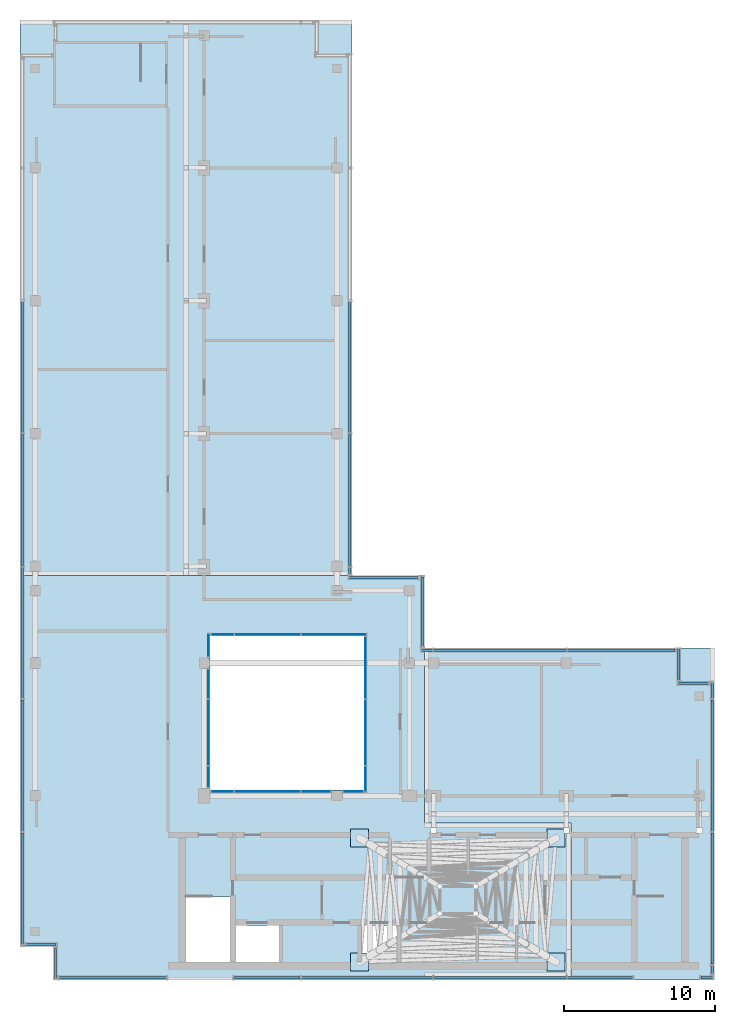
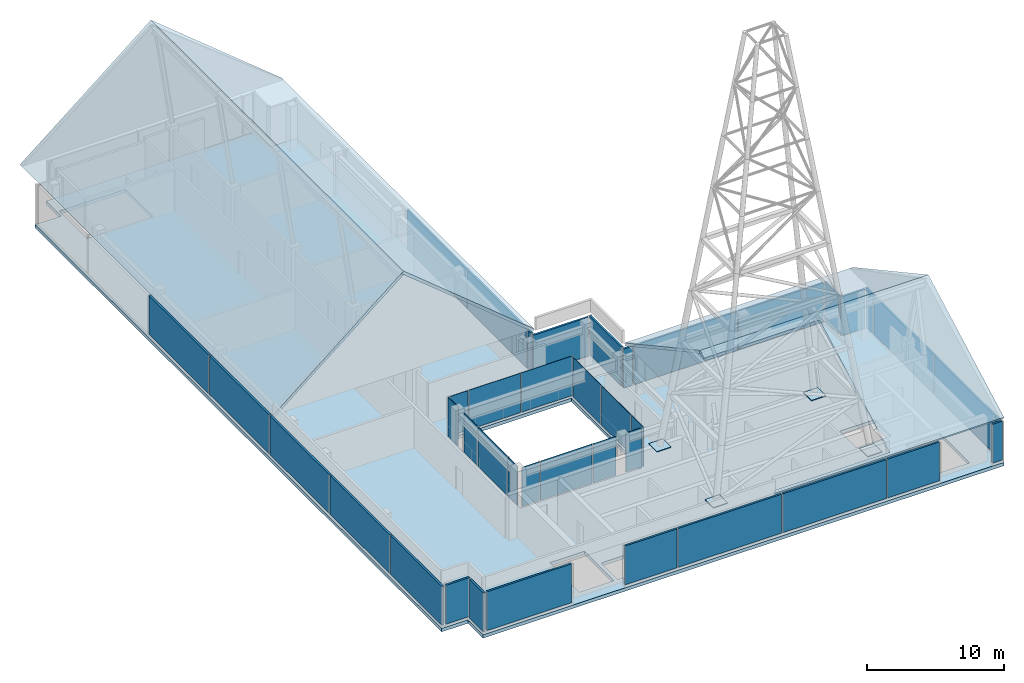
# One storey, part 9 of 13: 45 plates, 5 slabs, 19 elements without a shape of their own.
"""IFC4 building model written with IfcOpenShell, lengths in metres."""

from ifc_helpers import new_model, si_unit, direction, frame, origin, origin_2d, place, context, subcontext, project, spatial, polyline, rectangle, outline, extrude, source, transform, mapped, material, layer, layer_set, type_object, element, aggregate, save


model = new_model("IFC4")

# Units and contexts
model_context = context("Model", 3, precision=1e-05, world=origin(), true_north=direction((0.0, 1.0)))
body_context = subcontext(model_context, "Body", "Model", "MODEL_VIEW")
ifc_project = project(units=[si_unit("LENGTHUNIT", "METRE"), si_unit("AREAUNIT", "SQUARE_METRE"), si_unit("VOLUMEUNIT", "CUBIC_METRE"), si_unit("PLANEANGLEUNIT", "RADIAN"), si_unit("MASSUNIT", "GRAM", prefix="KILO")], contexts=[model_context])

# Site, building, storey
site_placement = place(None, origin())
site = spatial("IfcSite", under=ifc_project, at=site_placement, CompositionType="ELEMENT")
building_placement = place(site_placement, origin())
building = spatial("IfcBuilding", under=site, at=building_placement, Name="Kemantara Hotel Tower", CompositionType="ELEMENT")
storey_placement = place(building_placement, frame((0.0, 0.0, 330.199951171875)))
storey = spatial("IfcBuildingStorey", under=building, at=storey_placement, Name="L83", CompositionType="ELEMENT", Elevation=330.199951171875)

# Slabs
ifc_material_1 = material(Name="Concrete K-400 (fc 33 MPa) deck under bronze standing-seam roofing", Category="concrete")
ifc_layer_1 = layer(ifc_material_1, 0.25)
ifc_layer_set_1 = layer_set([ifc_layer_1], Name="Concrete K-400 (fc 33 MPa) deck under bronze standing-seam roofing")
slab_type_1 = type_object("IfcSlabType", Name="CROWN ROOF DECK 250", PredefinedType="ROOF", material=ifc_layer_set_1)
slab_1_placement = place(storey_placement, frame((26.800048828125, 0.0, 4.0), z_axis=(1.0205703e-05, -0.478845642946, 0.877899111588), x_axis=(0.999999999948, 4.886957e-06, -8.959578e-06)))
element("IfcSlab", 1, at=slab_1_placement, inside=storey, type_object=slab_type_1, Name="PEAK A ROOF PLANE 1", PredefinedType="ROOF", context=body_context, shape_type="SweptSolid", body=[
    extrude(outline(polyline([(0.0, 0.0), (19.199951170875103, 0.0), (19.199951169930085, 12.52996408579952), (-9.450187796403576e-10, 12.52996408579952), (-2.4842980689916607e-09, 11.84648528258238), (9.699951168885548, 11.84648528258238), (9.699951170756105, 0.22779379268463068), (-6.137407740057018e-10, 0.22779379268463068), (0.0, 0.0)])), origin(), (0.0, 0.0, -1.0), 0.25),
])
slab_2_placement = place(storey_placement, frame((26.800048828125, 22.0, 4.0), z_axis=(0.0, 0.478852130681, 0.877895572914), x_axis=(0.0, -0.877895572914, 0.478852130681)))
element("IfcSlab", 2, at=slab_2_placement, inside=storey, type_object=slab_type_1, Name="PEAK A ROOF PLANE 2", PredefinedType="ROOF", context=body_context, shape_type="SweptSolid", body=[
    extrude(outline(polyline([(0.0, 0.0), (12.529964086141668, 0.0), (12.529964086141668, 19.199951171875), (0.0, 19.199951171875), (0.0, 0.0)])), origin(), (0.0, 0.0, -1.0), 0.25),
])
slab_3_placement = place(storey_placement, frame((0.0, 26.800048828125, 4.0), z_axis=(-0.633237790257, 0.0, 0.773957299203), x_axis=(0.773957299203, 0.0, 0.633237790257)))
element("IfcSlab", 3, at=slab_3_placement, inside=storey, type_object=slab_type_1, Name="PEAK B ROOF PLANE 1", PredefinedType="ROOF", context=body_context, shape_type="SweptSolid", body=[
    extrude(outline(polyline([(0.0, 0.0), (14.212670403551895, 0.0), (14.212670403551895, 36.800048828125), (0.0, 36.800048828125), (0.0, 0.0)])), origin(), (0.0, 0.0, -1.0), 0.25),
])
slab_4_placement = place(storey_placement, frame((22.0, 26.800048828125, 4.0), z_axis=(0.633237790257, 0.0, 0.773957299203), x_axis=(0.0, 1.0, 0.0)))
element("IfcSlab", 4, at=slab_4_placement, inside=storey, type_object=slab_type_1, Name="PEAK B ROOF PLANE 2", PredefinedType="ROOF", context=body_context, shape_type="SweptSolid", body=[
    extrude(outline(polyline([(0.0, 0.0), (36.800048828125, 0.0), (36.800048828125, 14.212670403551895), (0.0, 14.212670403551895), (0.0, 0.0)])), origin(), (0.0, 0.0, -1.0), 0.25),
])
ifc_material_2 = material(Name="Concrete fc 40 MPa", Category="concrete")
ifc_layer_2 = layer(ifc_material_2, 0.300048828125)
ifc_layer_set_2 = layer_set([ifc_layer_2], Name="Concrete fc 40 MPa")
slab_type_2 = type_object("IfcSlabType", Name="POST-TENSIONED FLAT PLATE 300", PredefinedType="FLOOR", material=ifc_layer_set_2)
slab_5_placement = place(storey_placement, frame((0.0, 0.0, -0.300048828125)))
element("IfcSlab", 5, at=slab_5_placement, inside=storey, type_object=slab_type_2, Name="FLOOR SLAB L83", PredefinedType="FLOOR", context=body_context, shape_type="SweptSolid", body=[
    extrude(outline(polyline([(22.0, 26.800048828125), (22.0, 61.39990234375), (19.800048828125, 61.39990234375), (19.800048828125, 63.60009765625), (2.199951171875, 63.60009765625), (2.199951171875, 61.39990234375), (0.0, 61.39990234375), (0.0, 2.199951171875), (2.199951171875, 2.199951171875), (2.199951171875, 0.0), (46.0, 0.0), (46.0, 19.800048828125), (43.800048828125, 19.800048828125), (43.800048828125, 22.0), (26.800048828125, 22.0), (26.800048828125, 26.800048828125), (22.0, 26.800048828125)]), holes=[polyline([(14.22509765625, 3.60009765625), (17.175048828125, 3.60009765625), (17.175048828125, 1.199951171875), (14.22509765625, 1.199951171875), (14.22509765625, 3.60009765625)]), polyline([(24.97509765625, 3.60009765625), (24.97509765625, 1.199951171875), (22.625, 1.199951171875), (22.625, 3.60009765625), (24.97509765625, 3.60009765625)]), polyline([(13.89990234375, 1.199951171875), (11.0, 1.199951171875), (11.0, 5.49951171875), (13.89990234375, 5.49951171875), (13.89990234375, 1.199951171875)]), polyline([(43.800048828125, 1.199951171875), (40.89990234375, 1.199951171875), (40.89990234375, 5.49951171875), (43.800048828125, 5.49951171875), (43.800048828125, 1.199951171875)]), polyline([(40.574951171875, 9.39990234375), (40.574951171875, 7.0), (37.625, 7.0), (37.625, 9.39990234375), (40.574951171875, 9.39990234375)]), polyline([(22.800048828125, 22.800048828125), (22.800048828125, 12.60009765625), (12.60009765625, 12.60009765625), (12.60009765625, 22.800048828125), (22.800048828125, 22.800048828125)]), polyline([(2.39990234375, 58.0), (2.39990234375, 62.0), (7.949462890625, 62.0), (7.949462890625, 58.0), (2.39990234375, 58.0)])]), origin(), (0.0, 0.0, 1.0), 0.300048828125),
])

# Plates
ifc_material_3 = material(Name="Steel ASTM A572 Grade 50", Category="steel")
ifc_layer_3 = layer(ifc_material_3, 0.050048828125)
ifc_layer_set_3 = layer_set([ifc_layer_3], Name="Steel ASTM A572 Grade 50")
plate_type_1 = type_object("IfcPlateType", Name="STEEL PLATE 50", PredefinedType="SHEET", material=ifc_layer_set_3)
shared_shape_1 = source(origin(), body_context, "Body", "SweptSolid", [
    extrude(rectangle(XDim=1.199951171875, YDim=1.199951171875, at=origin_2d()), origin(), (0.0, 0.0, 1.0), 0.050048828125),
])
for number, where, z_axis, x_axis, name in (
    (6, (22.5, 1.199951171875, 4.0), (0.0, 0.0, 1.0), (1.0, 0.0, 0.0), "MAST base plate BP1 50"),
    (7, (35.5, 1.199951171875, 4.0), (0.0, 0.0, 1.0), (1.0, 0.0, 0.0), "MAST base plate BP2 50"),
    (8, (35.5, 9.39990234375, 4.0), (0.0, 0.0, 1.0), (1.0, 0.0, 0.0), "MAST base plate BP3 50"),
    (9, (22.5, 9.39990234375, 4.0), (0.0, 0.0, 1.0), (1.0, 0.0, 0.0), "MAST base plate BP4 50"),
):
    element("IfcPlate", number, at=place(storey_placement, frame(where, z_axis=z_axis, x_axis=x_axis)), inside=storey, type_object=plate_type_1, Name=name, PredefinedType="SHEET", context=body_context, shape_type="MappedRepresentation", body=[
        mapped(shared_shape_1, transform((0.0, 0.0, 0.0))),
    ])

# Curtain wall, plate
ifc_material_4 = material(Name="Aluminium 6063-T6 bronze anodised", Category="aluminium")
curtain_wall_type_1 = type_object("IfcCurtainWallType", Name="CROWN LOUVRE SCREEN WALL", PredefinedType="USERDEFINED", material=ifc_material_4)
curtain_wall_1_placement = place(storey_placement, origin())
curtain_wall_1 = element("IfcCurtainWall", 10, at=curtain_wall_1_placement, inside=storey, type_object=curtain_wall_type_1, Name="CW7 L83 CRN-R12-1", ObjectType="CROWN LOUVRE SCREEN WALL", PredefinedType="USERDEFINED")
ifc_material_5 = material(Name="Bronze anodised aluminium louvre blades 3 mm", Category="aluminium")
ifc_layer_4 = layer(ifc_material_5, 0.159912109375)
ifc_layer_set_4 = layer_set([ifc_layer_4], Name="Bronze anodised aluminium louvre blades 3 mm")
plate_type_2 = type_object("IfcPlateType", Name="CROWN LOUVRE SCREEN WALL PANEL", PredefinedType="CURTAIN_PANEL", material=ifc_layer_set_4)
shared_shape_2 = source(origin(), body_context, "Body", "SweptSolid", [
    extrude(rectangle(XDim=0.75, YDim=0.159912109375, at=origin_2d()), origin(), (0.0, 0.0, 1.0), 3.449951171875),
])
plate_1_placement = place(storey_placement, frame((26.97509765625, 21.85009765625, 0.2001953125), z_axis=(0.0, 0.0, 1.0), x_axis=(-1.0, 0.0, 0.0)))
plate_1 = element("IfcPlate", 11, at=plate_1_placement, type_object=plate_type_2, Name="CW7 louvre panel CRN-R12-1.3", PredefinedType="CURTAIN_PANEL", context=body_context, shape_type="MappedRepresentation", body=[
    mapped(shared_shape_2, transform((0.0, 0.0, 0.0))),
])

# Curtain wall, plates
curtain_wall_2_placement = place(storey_placement, origin())
curtain_wall_2 = element("IfcCurtainWall", 12, at=curtain_wall_2_placement, inside=storey, type_object=curtain_wall_type_1, Name="CW7 L83 CRN-R05-1", ObjectType="CROWN LOUVRE SCREEN WALL", PredefinedType="USERDEFINED")
shared_shape_3 = source(origin(), body_context, "Body", "SweptSolid", [
    extrude(rectangle(XDim=8.699951171875, YDim=0.159912109375, at=origin_2d()), origin(), (0.0, 0.0, 1.0), 3.449951171875),
])
plate_2_placement = place(storey_placement, frame((0.14990234375, 40.60009765625, 0.2001953125), z_axis=(0.0, 0.0, 1.0), x_axis=(0.0, -1.0, 0.0)))
plate_2 = element("IfcPlate", 13, at=plate_2_placement, type_object=plate_type_2, Name="CW7 louvre panel CRN-R05-1.3", PredefinedType="CURTAIN_PANEL", context=body_context, shape_type="MappedRepresentation", body=[
    mapped(shared_shape_3, transform((0.0, 0.0, 0.0))),
])
plate_3_placement = place(storey_placement, frame((0.14990234375, 31.800048828125, 0.2001953125), z_axis=(0.0, 0.0, 1.0), x_axis=(0.0, -1.0, 0.0)))
plate_3 = element("IfcPlate", 14, at=plate_3_placement, type_object=plate_type_2, Name="CW7 louvre panel CRN-R05-1.4", PredefinedType="CURTAIN_PANEL", context=body_context, shape_type="MappedRepresentation", body=[
    mapped(shared_shape_3, transform((0.0, 0.0, 0.0))),
])
plate_4_placement = place(storey_placement, frame((0.14990234375, 23.0, 0.2001953125), z_axis=(0.0, 0.0, 1.0), x_axis=(0.0, -1.0, 0.0)))
plate_4 = element("IfcPlate", 15, at=plate_4_placement, type_object=plate_type_2, Name="CW7 louvre panel CRN-R05-1.5", PredefinedType="CURTAIN_PANEL", context=body_context, shape_type="MappedRepresentation", body=[
    mapped(shared_shape_3, transform((0.0, 0.0, 0.0))),
])
plate_5_placement = place(storey_placement, frame((0.14990234375, 14.199951171875, 0.2001953125), z_axis=(0.0, 0.0, 1.0), x_axis=(0.0, -1.0, 0.0)))
plate_5 = element("IfcPlate", 16, at=plate_5_placement, type_object=plate_type_2, Name="CW7 louvre panel CRN-R05-1.6", PredefinedType="CURTAIN_PANEL", context=body_context, shape_type="MappedRepresentation", body=[
    mapped(shared_shape_3, transform((0.0, 0.0, 0.0))),
])

curtain_wall_3_placement = place(storey_placement, origin())
curtain_wall_3 = element("IfcCurtainWall", 17, at=curtain_wall_3_placement, inside=storey, type_object=curtain_wall_type_1, Name="CW7 L83 CRN-R08-2", ObjectType="CROWN LOUVRE SCREEN WALL", PredefinedType="USERDEFINED")
plate_6_placement = place(storey_placement, frame((23.0, 0.14990234375, 0.2001953125), z_axis=(0.0, 0.0, 1.0), x_axis=(1.0, 0.0, 0.0)))
plate_6 = element("IfcPlate", 18, at=plate_6_placement, type_object=plate_type_2, Name="CW7 louvre panel CRN-R08-2.2", PredefinedType="CURTAIN_PANEL", context=body_context, shape_type="MappedRepresentation", body=[
    mapped(shared_shape_3, transform((0.0, 0.0, 0.0))),
])
plate_7_placement = place(storey_placement, frame((31.800048828125, 0.14990234375, 0.2001953125), z_axis=(0.0, 0.0, 1.0), x_axis=(1.0, 0.0, 0.0)))
plate_7 = element("IfcPlate", 19, at=plate_7_placement, type_object=plate_type_2, Name="CW7 louvre panel CRN-R08-2.3", PredefinedType="CURTAIN_PANEL", context=body_context, shape_type="MappedRepresentation", body=[
    mapped(shared_shape_3, transform((0.0, 0.0, 0.0))),
])

curtain_wall_4_placement = place(storey_placement, origin())
curtain_wall_4 = element("IfcCurtainWall", 20, at=curtain_wall_4_placement, inside=storey, type_object=curtain_wall_type_1, Name="CW7 L83 CRN-R09-1", ObjectType="CROWN LOUVRE SCREEN WALL", PredefinedType="USERDEFINED")
plate_8_placement = place(storey_placement, frame((45.85009765625, 5.39990234375, 0.2001953125), z_axis=(0.0, 0.0, 1.0), x_axis=(0.0, 1.0, 0.0)))
plate_8 = element("IfcPlate", 21, at=plate_8_placement, type_object=plate_type_2, Name="CW7 louvre panel CRN-R09-1.2", PredefinedType="CURTAIN_PANEL", context=body_context, shape_type="MappedRepresentation", body=[
    mapped(shared_shape_3, transform((0.0, 0.0, 0.0))),
])
plate_9_placement = place(storey_placement, frame((45.85009765625, 14.199951171875, 0.2001953125), z_axis=(0.0, 0.0, 1.0), x_axis=(0.0, 1.0, 0.0)))
plate_9 = element("IfcPlate", 22, at=plate_9_placement, type_object=plate_type_2, Name="CW7 louvre panel CRN-R09-1.3", PredefinedType="CURTAIN_PANEL", context=body_context, shape_type="MappedRepresentation", body=[
    mapped(shared_shape_3, transform((0.0, 0.0, 0.0))),
])

# Plate
plate_10_placement = place(storey_placement, frame((31.800048828125, 21.85009765625, 0.2001953125), z_axis=(0.0, 0.0, 1.0), x_axis=(-1.0, 0.0, 0.0)))
plate_10 = element("IfcPlate", 23, at=plate_10_placement, type_object=plate_type_2, Name="CW7 louvre panel CRN-R12-1.2", PredefinedType="CURTAIN_PANEL", context=body_context, shape_type="MappedRepresentation", body=[
    mapped(shared_shape_3, transform((0.0, 0.0, 0.0))),
])

# Curtain wall, plates
curtain_wall_5_placement = place(storey_placement, origin())
curtain_wall_5 = element("IfcCurtainWall", 24, at=curtain_wall_5_placement, inside=storey, type_object=curtain_wall_type_1, Name="CW7 L83 CRN-R15-1", ObjectType="CROWN LOUVRE SCREEN WALL", PredefinedType="USERDEFINED")
plate_11_placement = place(storey_placement, frame((21.85009765625, 31.800048828125, 0.2001953125), z_axis=(0.0, 0.0, 1.0), x_axis=(0.0, 1.0, 0.0)))
plate_11 = element("IfcPlate", 25, at=plate_11_placement, type_object=plate_type_2, Name="CW7 louvre panel CRN-R15-1.2", PredefinedType="CURTAIN_PANEL", context=body_context, shape_type="MappedRepresentation", body=[
    mapped(shared_shape_3, transform((0.0, 0.0, 0.0))),
])
plate_12_placement = place(storey_placement, frame((21.85009765625, 40.60009765625, 0.2001953125), z_axis=(0.0, 0.0, 1.0), x_axis=(0.0, 1.0, 0.0)))
plate_12 = element("IfcPlate", 26, at=plate_12_placement, type_object=plate_type_2, Name="CW7 louvre panel CRN-R15-1.3", PredefinedType="CURTAIN_PANEL", context=body_context, shape_type="MappedRepresentation", body=[
    mapped(shared_shape_3, transform((0.0, 0.0, 0.0))),
])

# Plate
shared_shape_4 = source(origin(), body_context, "Body", "SweptSolid", [
    extrude(rectangle(XDim=7.449951171875, YDim=0.159912109375, at=origin_2d()), origin(), (0.0, 0.0, 1.0), 3.449951171875),
])
plate_13_placement = place(storey_placement, frame((0.14990234375, 6.02490234375, 0.2001953125), z_axis=(0.0, 0.0, 1.0), x_axis=(0.0, -1.0, 0.0)))
plate_13 = element("IfcPlate", 27, at=plate_13_placement, type_object=plate_type_2, Name="CW7 louvre panel CRN-R05-1.7", PredefinedType="CURTAIN_PANEL", context=body_context, shape_type="MappedRepresentation", body=[
    mapped(shared_shape_4, transform((0.0, 0.0, 0.0))),
])

aggregate(curtain_wall_2, [plate_2, plate_3, plate_4, plate_5, plate_13])

shared_shape_5 = source(origin(), body_context, "Body", "SweptSolid", [
    extrude(rectangle(XDim=7.14990234375, YDim=0.159912109375, at=origin_2d()), origin(), (0.0, 0.0, 1.0), 3.449951171875),
])
plate_14_placement = place(storey_placement, frame((39.824951171875, 21.85009765625, 0.2001953125), z_axis=(0.0, 0.0, 1.0), x_axis=(-1.0, 0.0, 0.0)))
plate_14 = element("IfcPlate", 28, at=plate_14_placement, type_object=plate_type_2, Name="CW7 louvre panel CRN-R12-1.1", PredefinedType="CURTAIN_PANEL", context=body_context, shape_type="MappedRepresentation", body=[
    mapped(shared_shape_5, transform((0.0, 0.0, 0.0))),
])

aggregate(curtain_wall_1, [plate_14, plate_10, plate_1])

# Curtain wall, plate
curtain_wall_6_placement = place(storey_placement, origin())
curtain_wall_6 = element("IfcCurtainWall", 29, at=curtain_wall_6_placement, inside=storey, type_object=curtain_wall_type_1, Name="CW7 L83 CRN-R08-1", ObjectType="CROWN LOUVRE SCREEN WALL", PredefinedType="USERDEFINED")
shared_shape_6 = source(origin(), body_context, "Body", "SweptSolid", [
    extrude(rectangle(XDim=7.10009765625, YDim=0.159912109375, at=origin_2d()), origin(), (0.0, 0.0, 1.0), 3.449951171875),
])
plate_15_placement = place(storey_placement, frame((6.14990234375, 0.14990234375, 0.2001953125), z_axis=(0.0, 0.0, 1.0), x_axis=(1.0, 0.0, 0.0)))
plate_15 = element("IfcPlate", 30, at=plate_15_placement, type_object=plate_type_2, Name="CW7 louvre panel CRN-R08-1.1", PredefinedType="CURTAIN_PANEL", context=body_context, shape_type="MappedRepresentation", body=[
    mapped(shared_shape_6, transform((0.0, 0.0, 0.0))),
])
aggregate(curtain_wall_6, [plate_15])

# Plate
shared_shape_7 = source(origin(), body_context, "Body", "SweptSolid", [
    extrude(rectangle(XDim=4.35009765625, YDim=0.159912109375, at=origin_2d()), origin(), (0.0, 0.0, 1.0), 3.449951171875),
])
plate_16_placement = place(storey_placement, frame((16.375, 0.14990234375, 0.2001953125), z_axis=(0.0, 0.0, 1.0), x_axis=(1.0, 0.0, 0.0)))
plate_16 = element("IfcPlate", 31, at=plate_16_placement, type_object=plate_type_2, Name="CW7 louvre panel CRN-R08-2.1", PredefinedType="CURTAIN_PANEL", context=body_context, shape_type="MappedRepresentation", body=[
    mapped(shared_shape_7, transform((0.0, 0.0, 0.0))),
])

plate_17_placement = place(storey_placement, frame((38.425048828125, 0.14990234375, 0.2001953125), z_axis=(0.0, 0.0, 1.0), x_axis=(1.0, 0.0, 0.0)))
plate_17 = element("IfcPlate", 32, at=plate_17_placement, type_object=plate_type_2, Name="CW7 louvre panel CRN-R08-2.4", PredefinedType="CURTAIN_PANEL", context=body_context, shape_type="MappedRepresentation", body=[
    mapped(shared_shape_7, transform((0.0, 0.0, 0.0))),
])

aggregate(curtain_wall_3, [plate_16, plate_6, plate_7, plate_17])

# Curtain wall, plate
curtain_wall_7_placement = place(storey_placement, origin())
curtain_wall_7 = element("IfcCurtainWall", 33, at=curtain_wall_7_placement, inside=storey, type_object=curtain_wall_type_1, Name="CW7 L83 CRN-R08-3", ObjectType="CROWN LOUVRE SCREEN WALL", PredefinedType="USERDEFINED")
shared_shape_8 = source(origin(), body_context, "Body", "SweptSolid", [
    extrude(rectangle(XDim=0.800048828125, YDim=0.159912109375, at=origin_2d()), origin(), (0.0, 0.0, 1.0), 3.449951171875),
])
plate_18_placement = place(storey_placement, frame((45.5, 0.14990234375, 0.2001953125), z_axis=(0.0, 0.0, 1.0), x_axis=(1.0, 0.0, 0.0)))
plate_18 = element("IfcPlate", 34, at=plate_18_placement, type_object=plate_type_2, Name="CW7 louvre panel CRN-R08-3.1", PredefinedType="CURTAIN_PANEL", context=body_context, shape_type="MappedRepresentation", body=[
    mapped(shared_shape_8, transform((0.0, 0.0, 0.0))),
])
aggregate(curtain_wall_7, [plate_18])

# Plate
shared_shape_9 = source(origin(), body_context, "Body", "SweptSolid", [
    extrude(rectangle(XDim=0.550048828125, YDim=0.159912109375, at=origin_2d()), origin(), (0.0, 0.0, 1.0), 3.449951171875),
])
plate_19_placement = place(storey_placement, frame((45.85009765625, 0.675048828125, 0.2001953125), z_axis=(0.0, 0.0, 1.0), x_axis=(0.0, 1.0, 0.0)))
plate_19 = element("IfcPlate", 35, at=plate_19_placement, type_object=plate_type_2, Name="CW7 louvre panel CRN-R09-1.1", PredefinedType="CURTAIN_PANEL", context=body_context, shape_type="MappedRepresentation", body=[
    mapped(shared_shape_9, transform((0.0, 0.0, 0.0))),
])

shared_shape_10 = source(origin(), body_context, "Body", "SweptSolid", [
    extrude(rectangle(XDim=1.050048828125, YDim=0.159912109375, at=origin_2d()), origin(), (0.0, 0.0, 1.0), 3.449951171875),
])
plate_20_placement = place(storey_placement, frame((45.85009765625, 19.175048828125, 0.2001953125), z_axis=(0.0, 0.0, 1.0), x_axis=(0.0, 1.0, 0.0)))
plate_20 = element("IfcPlate", 36, at=plate_20_placement, type_object=plate_type_2, Name="CW7 louvre panel CRN-R09-1.4", PredefinedType="CURTAIN_PANEL", context=body_context, shape_type="MappedRepresentation", body=[
    mapped(shared_shape_10, transform((0.0, 0.0, 0.0))),
])

aggregate(curtain_wall_4, [plate_19, plate_8, plate_9, plate_20])

# Curtain wall, plate
curtain_wall_8_placement = place(storey_placement, origin())
curtain_wall_8 = element("IfcCurtainWall", 37, at=curtain_wall_8_placement, inside=storey, type_object=curtain_wall_type_1, Name="CW7 L83 CRN-R13-1", ObjectType="CROWN LOUVRE SCREEN WALL", PredefinedType="USERDEFINED")
shared_shape_11 = source(origin(), body_context, "Body", "SweptSolid", [
    extrude(rectangle(XDim=4.60009765625, YDim=0.159912109375, at=origin_2d()), origin(), (0.0, 0.0, 1.0), 3.449951171875),
])
plate_21_placement = place(storey_placement, frame((26.64990234375, 24.39990234375, 0.2001953125), z_axis=(0.0, 0.0, 1.0), x_axis=(0.0, 1.0, 0.0)))
plate_21 = element("IfcPlate", 38, at=plate_21_placement, type_object=plate_type_2, Name="CW7 louvre panel CRN-R13-1.1", PredefinedType="CURTAIN_PANEL", context=body_context, shape_type="MappedRepresentation", body=[
    mapped(shared_shape_11, transform((0.0, 0.0, 0.0))),
])
aggregate(curtain_wall_8, [plate_21])

curtain_wall_9_placement = place(storey_placement, origin())
curtain_wall_9 = element("IfcCurtainWall", 39, at=curtain_wall_9_placement, inside=storey, type_object=curtain_wall_type_1, Name="CW7 L83 CRN-R14-1", ObjectType="CROWN LOUVRE SCREEN WALL", PredefinedType="USERDEFINED")
plate_22_placement = place(storey_placement, frame((24.10009765625, 26.64990234375, 0.2001953125), z_axis=(0.0, 0.0, 1.0), x_axis=(-1.0, 0.0, 0.0)))
plate_22 = element("IfcPlate", 40, at=plate_22_placement, type_object=plate_type_2, Name="CW7 louvre panel CRN-R14-1.1", PredefinedType="CURTAIN_PANEL", context=body_context, shape_type="MappedRepresentation", body=[
    mapped(shared_shape_11, transform((0.0, 0.0, 0.0))),
])
aggregate(curtain_wall_9, [plate_22])

# Plate
shared_shape_12 = source(origin(), body_context, "Body", "SweptSolid", [
    extrude(rectangle(XDim=0.449951171875, YDim=0.159912109375, at=origin_2d()), origin(), (0.0, 0.0, 1.0), 3.449951171875),
])
plate_23_placement = place(storey_placement, frame((21.85009765625, 27.125, 0.2001953125), z_axis=(0.0, 0.0, 1.0), x_axis=(0.0, 1.0, 0.0)))
plate_23 = element("IfcPlate", 41, at=plate_23_placement, type_object=plate_type_2, Name="CW7 louvre panel CRN-R15-1.1", PredefinedType="CURTAIN_PANEL", context=body_context, shape_type="MappedRepresentation", body=[
    mapped(shared_shape_12, transform((0.0, 0.0, 0.0))),
])

aggregate(curtain_wall_5, [plate_23, plate_11, plate_12])

# Curtain wall, plate
curtain_wall_10_placement = place(storey_placement, origin())
curtain_wall_10 = element("IfcCurtainWall", 42, at=curtain_wall_10_placement, inside=storey, type_object=curtain_wall_type_1, Name="CW7 L83 CRN-R06-1", ObjectType="CROWN LOUVRE SCREEN WALL", PredefinedType="USERDEFINED")
shared_shape_13 = source(origin(), body_context, "Body", "SweptSolid", [
    extrude(rectangle(XDim=2.0, YDim=0.159912109375, at=origin_2d()), origin(), (0.0, 0.0, 1.0), 3.449951171875),
])
plate_24_placement = place(storey_placement, frame((1.39990234375, 2.35009765625, 0.2001953125), z_axis=(0.0, 0.0, 1.0), x_axis=(1.0, 0.0, 0.0)))
plate_24 = element("IfcPlate", 43, at=plate_24_placement, type_object=plate_type_2, Name="CW7 louvre panel CRN-R06-1.1", PredefinedType="CURTAIN_PANEL", context=body_context, shape_type="MappedRepresentation", body=[
    mapped(shared_shape_13, transform((0.0, 0.0, 0.0))),
])
aggregate(curtain_wall_10, [plate_24])

curtain_wall_11_placement = place(storey_placement, origin())
curtain_wall_11 = element("IfcCurtainWall", 44, at=curtain_wall_11_placement, inside=storey, type_object=curtain_wall_type_1, Name="CW7 L83 CRN-R07-1", ObjectType="CROWN LOUVRE SCREEN WALL", PredefinedType="USERDEFINED")
plate_25_placement = place(storey_placement, frame((2.35009765625, 1.10009765625, 0.2001953125), z_axis=(0.0, 0.0, 1.0), x_axis=(0.0, -1.0, 0.0)))
plate_25 = element("IfcPlate", 45, at=plate_25_placement, type_object=plate_type_2, Name="CW7 louvre panel CRN-R07-1.1", PredefinedType="CURTAIN_PANEL", context=body_context, shape_type="MappedRepresentation", body=[
    mapped(shared_shape_13, transform((0.0, 0.0, 0.0))),
])
aggregate(curtain_wall_11, [plate_25])

curtain_wall_12_placement = place(storey_placement, origin())
curtain_wall_12 = element("IfcCurtainWall", 46, at=curtain_wall_12_placement, inside=storey, type_object=curtain_wall_type_1, Name="CW7 L83 CRN-R10-1", ObjectType="CROWN LOUVRE SCREEN WALL", PredefinedType="USERDEFINED")
plate_26_placement = place(storey_placement, frame((44.60009765625, 19.64990234375, 0.2001953125), z_axis=(0.0, 0.0, 1.0), x_axis=(-1.0, 0.0, 0.0)))
plate_26 = element("IfcPlate", 47, at=plate_26_placement, type_object=plate_type_2, Name="CW7 louvre panel CRN-R10-1.1", PredefinedType="CURTAIN_PANEL", context=body_context, shape_type="MappedRepresentation", body=[
    mapped(shared_shape_13, transform((0.0, 0.0, 0.0))),
])
aggregate(curtain_wall_12, [plate_26])

curtain_wall_13_placement = place(storey_placement, origin())
curtain_wall_13 = element("IfcCurtainWall", 48, at=curtain_wall_13_placement, inside=storey, type_object=curtain_wall_type_1, Name="CW7 L83 CRN-R11-1", ObjectType="CROWN LOUVRE SCREEN WALL", PredefinedType="USERDEFINED")
plate_27_placement = place(storey_placement, frame((43.64990234375, 20.89990234375, 0.2001953125), z_axis=(0.0, 0.0, 1.0), x_axis=(0.0, 1.0, 0.0)))
plate_27 = element("IfcPlate", 49, at=plate_27_placement, type_object=plate_type_2, Name="CW7 louvre panel CRN-R11-1.1", PredefinedType="CURTAIN_PANEL", context=body_context, shape_type="MappedRepresentation", body=[
    mapped(shared_shape_13, transform((0.0, 0.0, 0.0))),
])
aggregate(curtain_wall_13, [plate_27])

ifc_material_6 = material(Name="Clear low-iron laminated glass 36 mm", Category="glass")
curtain_wall_type_2 = type_object("IfcCurtainWallType", Name="ATRIUM GLAZING WALL", PredefinedType="USERDEFINED", material=ifc_material_6)
curtain_wall_14_placement = place(storey_placement, origin())
curtain_wall_14 = element("IfcCurtainWall", 50, at=curtain_wall_14_placement, inside=storey, type_object=curtain_wall_type_2, Name="CW5 L83 ATR-R0-1", ObjectType="ATRIUM GLAZING WALL", PredefinedType="USERDEFINED")
ifc_layer_5 = layer(ifc_material_6, 0.035888671875)
ifc_layer_set_5 = layer_set([ifc_layer_5], Name="Clear low-iron laminated glass 36 mm")
plate_type_3 = type_object("IfcPlateType", Name="ATRIUM GLAZING WALL PANEL", PredefinedType="CURTAIN_PANEL", material=ifc_layer_set_5)
shared_shape_14 = source(origin(), body_context, "Body", "SweptSolid", [
    extrude(rectangle(XDim=1.487548828125, YDim=0.035888671875, at=origin_2d()), origin(), (0.0, 0.0, 1.0), 3.5),
])
plate_28_placement = place(storey_placement, frame((13.418701171875, 22.89990234375, 0.150146484375), z_axis=(0.0, 0.0, 1.0), x_axis=(1.0, 0.0, 0.0)))
plate_28 = element("IfcPlate", 51, at=plate_28_placement, type_object=plate_type_3, Name="CW5 glass panel ATR-R0-1.1", PredefinedType="CURTAIN_PANEL", context=body_context, shape_type="MappedRepresentation", body=[
    mapped(shared_shape_14, transform((0.0, 0.0, 0.0))),
])

curtain_wall_15_placement = place(storey_placement, origin())
curtain_wall_15 = element("IfcCurtainWall", 52, at=curtain_wall_15_placement, inside=storey, type_object=curtain_wall_type_2, Name="CW5 L83 ATR-R2-2", ObjectType="ATRIUM GLAZING WALL", PredefinedType="USERDEFINED")
plate_29_placement = place(storey_placement, frame((13.418701171875, 12.5, 0.150146484375), z_axis=(0.0, 0.0, 1.0), x_axis=(-1.0, 0.0, 0.0)))
plate_29 = element("IfcPlate", 53, at=plate_29_placement, type_object=plate_type_3, Name="CW5 glass panel ATR-R2-2.3", PredefinedType="CURTAIN_PANEL", context=body_context, shape_type="MappedRepresentation", body=[
    mapped(shared_shape_14, transform((0.0, 0.0, 0.0))),
])

# Plate
shared_shape_15 = source(origin(), body_context, "Body", "SweptSolid", [
    extrude(rectangle(XDim=4.324951171875, YDim=0.035888671875, at=origin_2d()), origin(), (0.0, 0.0, 1.0), 3.5),
])
plate_30_placement = place(storey_placement, frame((16.39990234375, 22.89990234375, 0.150146484375), z_axis=(0.0, 0.0, 1.0), x_axis=(1.0, 0.0, 0.0)))
plate_30 = element("IfcPlate", 54, at=plate_30_placement, type_object=plate_type_3, Name="CW5 glass panel ATR-R0-1.2", PredefinedType="CURTAIN_PANEL", context=body_context, shape_type="MappedRepresentation", body=[
    mapped(shared_shape_15, transform((0.0, 0.0, 0.0))),
])

# Curtain wall, plate
curtain_wall_16_placement = place(storey_placement, origin())
curtain_wall_16 = element("IfcCurtainWall", 55, at=curtain_wall_16_placement, inside=storey, type_object=curtain_wall_type_2, Name="CW5 L83 ATR-R1-1", ObjectType="ATRIUM GLAZING WALL", PredefinedType="USERDEFINED")
plate_31_placement = place(storey_placement, frame((22.89990234375, 16.39990234375, 0.150146484375), z_axis=(0.0, 0.0, 1.0), x_axis=(0.0, -1.0, 0.0)))
plate_31 = element("IfcPlate", 56, at=plate_31_placement, type_object=plate_type_3, Name="CW5 glass panel ATR-R1-1.2", PredefinedType="CURTAIN_PANEL", context=body_context, shape_type="MappedRepresentation", body=[
    mapped(shared_shape_15, transform((0.0, 0.0, 0.0))),
])

# Plate
plate_32_placement = place(storey_placement, frame((16.39990234375, 12.5, 0.150146484375), z_axis=(0.0, 0.0, 1.0), x_axis=(-1.0, 0.0, 0.0)))
plate_32 = element("IfcPlate", 57, at=plate_32_placement, type_object=plate_type_3, Name="CW5 glass panel ATR-R2-2.2", PredefinedType="CURTAIN_PANEL", context=body_context, shape_type="MappedRepresentation", body=[
    mapped(shared_shape_15, transform((0.0, 0.0, 0.0))),
])

# Curtain wall, plate
curtain_wall_17_placement = place(storey_placement, origin())
curtain_wall_17 = element("IfcCurtainWall", 58, at=curtain_wall_17_placement, inside=storey, type_object=curtain_wall_type_2, Name="CW5 L83 ATR-R3-1", ObjectType="ATRIUM GLAZING WALL", PredefinedType="USERDEFINED")
plate_33_placement = place(storey_placement, frame((12.5, 16.39990234375, 0.150146484375), z_axis=(0.0, 0.0, 1.0), x_axis=(0.0, 1.0, 0.0)))
plate_33 = element("IfcPlate", 59, at=plate_33_placement, type_object=plate_type_3, Name="CW5 glass panel ATR-R3-1.2", PredefinedType="CURTAIN_PANEL", context=body_context, shape_type="MappedRepresentation", body=[
    mapped(shared_shape_15, transform((0.0, 0.0, 0.0))),
])

# Plate
shared_shape_16 = source(origin(), body_context, "Body", "SweptSolid", [
    extrude(rectangle(XDim=4.28759765625, YDim=0.035888671875, at=origin_2d()), origin(), (0.0, 0.0, 1.0), 3.5),
])
plate_34_placement = place(storey_placement, frame((20.78125, 22.89990234375, 0.150146484375), z_axis=(0.0, 0.0, 1.0), x_axis=(1.0, 0.0, 0.0)))
plate_34 = element("IfcPlate", 60, at=plate_34_placement, type_object=plate_type_3, Name="CW5 glass panel ATR-R0-1.3", PredefinedType="CURTAIN_PANEL", context=body_context, shape_type="MappedRepresentation", body=[
    mapped(shared_shape_16, transform((0.0, 0.0, 0.0))),
])

aggregate(curtain_wall_14, [plate_28, plate_30, plate_34])

shared_shape_17 = source(origin(), body_context, "Body", "SweptSolid", [
    extrude(rectangle(XDim=4.08740234375, YDim=0.035888671875, at=origin_2d()), origin(), (0.0, 0.0, 1.0), 3.5),
])
plate_35_placement = place(storey_placement, frame((22.89990234375, 20.68115234375, 0.150146484375), z_axis=(0.0, 0.0, 1.0), x_axis=(0.0, -1.0, 0.0)))
plate_35 = element("IfcPlate", 61, at=plate_35_placement, type_object=plate_type_3, Name="CW5 glass panel ATR-R1-1.1", PredefinedType="CURTAIN_PANEL", context=body_context, shape_type="MappedRepresentation", body=[
    mapped(shared_shape_17, transform((0.0, 0.0, 0.0))),
])

shared_shape_18 = source(origin(), body_context, "Body", "SweptSolid", [
    extrude(rectangle(XDim=1.6875, YDim=0.035888671875, at=origin_2d()), origin(), (0.0, 0.0, 1.0), 3.5),
])
plate_36_placement = place(storey_placement, frame((22.89990234375, 13.31884765625, 0.150146484375), z_axis=(0.0, 0.0, 1.0), x_axis=(0.0, -1.0, 0.0)))
plate_36 = element("IfcPlate", 62, at=plate_36_placement, type_object=plate_type_3, Name="CW5 glass panel ATR-R1-1.3", PredefinedType="CURTAIN_PANEL", context=body_context, shape_type="MappedRepresentation", body=[
    mapped(shared_shape_18, transform((0.0, 0.0, 0.0))),
])

aggregate(curtain_wall_16, [plate_35, plate_31, plate_36])

# Curtain wall, plate
curtain_wall_18_placement = place(storey_placement, origin())
curtain_wall_18 = element("IfcCurtainWall", 63, at=curtain_wall_18_placement, inside=storey, type_object=curtain_wall_type_2, Name="CW5 L83 ATR-R2-1", ObjectType="ATRIUM GLAZING WALL", PredefinedType="USERDEFINED")
shared_shape_19 = source(origin(), body_context, "Body", "SweptSolid", [
    extrude(rectangle(XDim=1.300048828125, YDim=0.035888671875, at=origin_2d()), origin(), (0.0, 0.0, 1.0), 3.5),
])
plate_37_placement = place(storey_placement, frame((22.074951171875, 12.5, 0.150146484375), z_axis=(0.0, 0.0, 1.0), x_axis=(-1.0, 0.0, 0.0)))
plate_37 = element("IfcPlate", 64, at=plate_37_placement, type_object=plate_type_3, Name="CW5 glass panel ATR-R2-1.1", PredefinedType="CURTAIN_PANEL", context=body_context, shape_type="MappedRepresentation", body=[
    mapped(shared_shape_19, transform((0.0, 0.0, 0.0))),
])
aggregate(curtain_wall_18, [plate_37])

# Plate
shared_shape_20 = source(origin(), body_context, "Body", "SweptSolid", [
    extrude(rectangle(XDim=1.9375, YDim=0.035888671875, at=origin_2d()), origin(), (0.0, 0.0, 1.0), 3.5),
])
plate_38_placement = place(storey_placement, frame((19.606201171875, 12.5, 0.150146484375), z_axis=(0.0, 0.0, 1.0), x_axis=(-1.0, 0.0, 0.0)))
plate_38 = element("IfcPlate", 65, at=plate_38_placement, type_object=plate_type_3, Name="CW5 glass panel ATR-R2-2.1", PredefinedType="CURTAIN_PANEL", context=body_context, shape_type="MappedRepresentation", body=[
    mapped(shared_shape_20, transform((0.0, 0.0, 0.0))),
])

aggregate(curtain_wall_15, [plate_38, plate_32, plate_29])

plate_39_placement = place(storey_placement, frame((12.5, 19.606201171875, 0.150146484375), z_axis=(0.0, 0.0, 1.0), x_axis=(0.0, 1.0, 0.0)))
plate_39 = element("IfcPlate", 66, at=plate_39_placement, type_object=plate_type_3, Name="CW5 glass panel ATR-R3-1.3", PredefinedType="CURTAIN_PANEL", context=body_context, shape_type="MappedRepresentation", body=[
    mapped(shared_shape_20, transform((0.0, 0.0, 0.0))),
])

shared_shape_21 = source(origin(), body_context, "Body", "SweptSolid", [
    extrude(rectangle(XDim=1.387451171875, YDim=0.035888671875, at=origin_2d()), origin(), (0.0, 0.0, 1.0), 3.5),
])
plate_40_placement = place(storey_placement, frame((12.5, 13.46875, 0.150146484375), z_axis=(0.0, 0.0, 1.0), x_axis=(0.0, 1.0, 0.0)))
plate_40 = element("IfcPlate", 67, at=plate_40_placement, type_object=plate_type_3, Name="CW5 glass panel ATR-R3-1.1", PredefinedType="CURTAIN_PANEL", context=body_context, shape_type="MappedRepresentation", body=[
    mapped(shared_shape_21, transform((0.0, 0.0, 0.0))),
])

aggregate(curtain_wall_17, [plate_40, plate_33, plate_39])

# Curtain wall, plate
curtain_wall_19_placement = place(storey_placement, origin())
curtain_wall_19 = element("IfcCurtainWall", 68, at=curtain_wall_19_placement, inside=storey, type_object=curtain_wall_type_2, Name="CW5 L83 ATR-R3-2", ObjectType="ATRIUM GLAZING WALL", PredefinedType="USERDEFINED")
shared_shape_22 = source(origin(), body_context, "Body", "SweptSolid", [
    extrude(rectangle(XDim=1.5, YDim=0.035888671875, at=origin_2d()), origin(), (0.0, 0.0, 1.0), 3.5),
])
plate_41_placement = place(storey_placement, frame((12.5, 22.175048828125, 0.150146484375), z_axis=(0.0, 0.0, 1.0), x_axis=(0.0, 1.0, 0.0)))
plate_41 = element("IfcPlate", 69, at=plate_41_placement, type_object=plate_type_3, Name="CW5 glass panel ATR-R3-2.1", PredefinedType="CURTAIN_PANEL", context=body_context, shape_type="MappedRepresentation", body=[
    mapped(shared_shape_22, transform((0.0, 0.0, 0.0))),
])
aggregate(curtain_wall_19, [plate_41])

save(model, "model.ifc")
